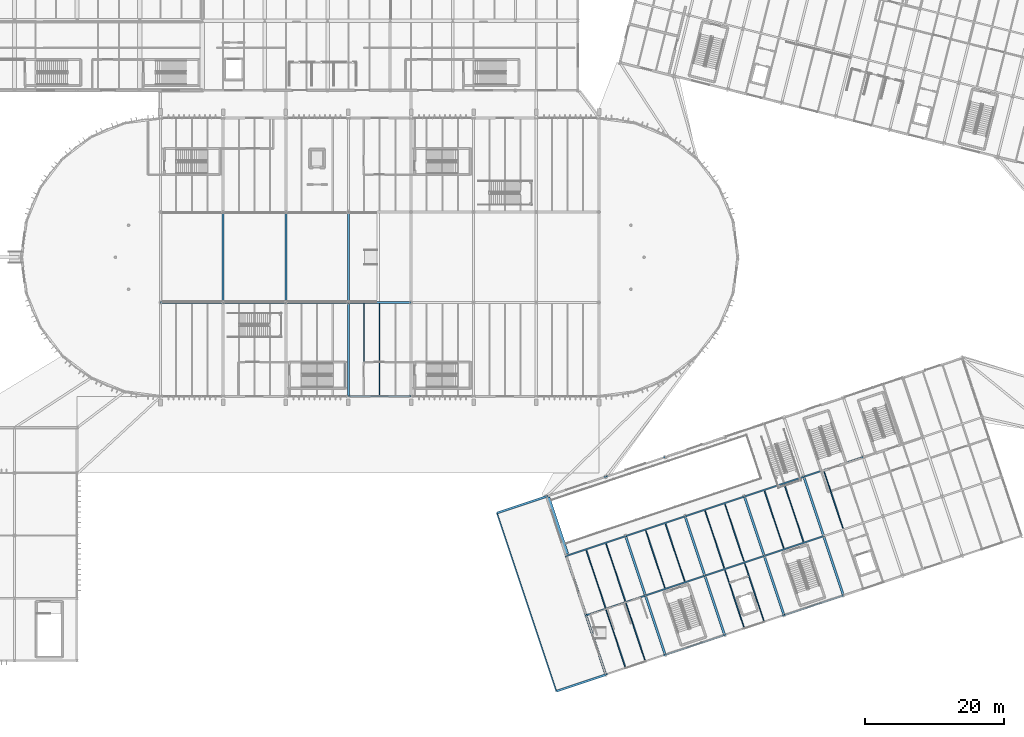
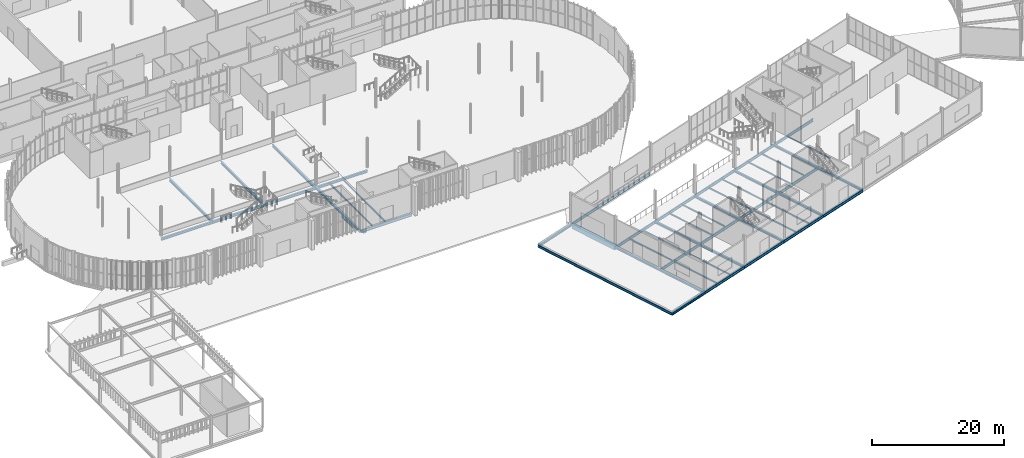
# One storey, part 40 of 158: 54 beams.
"""IFC4 building model written with IfcOpenShell, lengths in metres."""

from ifc_helpers import new_model, si_unit, derived_unit, direction, frame, origin, origin_2d, place, context, subcontext, project, spatial, rectangle, i_section, extrude, material, material_profile, profile_set, type_object, element, save


model = new_model("IFC4")

# Units and contexts
model_context = context("Model", 3, precision=1e-05, world=origin(), true_north=direction((0.0, 1.0)))
body_context = subcontext(model_context, "Body", "Model", "MODEL_VIEW")
ifc_project = project(units=[si_unit("LENGTHUNIT", "METRE"), si_unit("AREAUNIT", "SQUARE_METRE"), si_unit("VOLUMEUNIT", "CUBIC_METRE"), si_unit("PLANEANGLEUNIT", "RADIAN"), si_unit("MASSUNIT", "GRAM", prefix="KILO"), si_unit("THERMODYNAMICTEMPERATUREUNIT", "KELVIN"), si_unit("TIMEUNIT", "SECOND"), derived_unit("THERMALTRANSMITTANCEUNIT", [(si_unit("MASSUNIT", "GRAM", prefix="KILO"), 1), (si_unit("THERMODYNAMICTEMPERATUREUNIT", "KELVIN"), -1), (si_unit("TIMEUNIT", "SECOND"), -3)])], contexts=[model_context])

# Site, building, storey
site_placement = place(None, origin())
site = spatial("IfcSite", under=ifc_project, at=site_placement, CompositionType="ELEMENT")
building_placement = place(site_placement, origin())
building = spatial("IfcBuilding", under=site, at=building_placement, Name="Cambertide Market Hall", CompositionType="ELEMENT")
storey_placement = place(building_placement, origin())
storey = spatial("IfcBuildingStorey", under=building, at=storey_placement, Name="L01", CompositionType="ELEMENT", Elevation=0.0)

# Beams
ifc_material_1 = material(Name="Concrete B35", Category="concrete")
ifc_material_profile_1 = material_profile(ifc_material_1, rectangle(XDim=0.5, YDim=0.85009765625, at=origin_2d()), Name="RC 500x850")
ifc_profile_set_1 = profile_set([ifc_material_profile_1], Name="Concrete B35")
beam_type_1 = type_object("IfcBeamType", Name="Concrete Girder RC 500x850", PredefinedType="BEAM", material=ifc_profile_set_1)
beam_1_placement = place(storey_placement, frame((100.43115234375, 29.3388671875, -0.72509765625), z_axis=(-0.316219229536, 0.948686143501, 0.0), x_axis=(-0.948686143501, -0.316219229536, 0.0)))
element("IfcBeam", 1, at=beam_1_placement, inside=storey, type_object=beam_type_1, Name="Level 1 Beam BM-VR01-THR", PredefinedType="BEAM", context=body_context, shape_type="SweptSolid", body=[
    extrude(rectangle(XDim=0.5, YDim=0.85009765625, at=origin_2d()), origin(), (0.0, 0.0, 1.0), 8.579833984375),
])
ifc_material_2 = material(Name="Steel S355", Category="steel")
ifc_material_profile_2 = material_profile(ifc_material_2, i_section(OverallWidth=0.300048828125, OverallDepth=0.39990234375, WebThickness=0.013427734375, FlangeThickness=0.02392578125, FilletRadius=0.027099609375, at=origin_2d()), Name="HEB 400")
ifc_profile_set_2 = profile_set([ifc_material_profile_2], Name="Steel S355")
beam_type_2 = type_object("IfcBeamType", Name="Steel Girder HEB 400", PredefinedType="BEAM", material=ifc_profile_set_2)
beam_2_placement = place(storey_placement, frame((106.0, 12.0, -0.5), z_axis=(-0.3162196279, 0.948686010717, 0.0), x_axis=(-0.948686010717, -0.3162196279, 0.0)))
element("IfcBeam", 2, at=beam_2_placement, inside=storey, type_object=beam_type_2, Name="Level 1 Beam BM-V3V-L01-1-1", PredefinedType="BEAM", context=body_context, shape_type="SweptSolid", body=[
    extrude(i_section(OverallWidth=0.300048828125, OverallDepth=0.39990234375, WebThickness=0.013427734375, FlangeThickness=0.02392578125, FilletRadius=0.027099609375, at=origin_2d()), origin(), (0.0, 0.0, 1.0), 9.0),
])
for number, where, z_axis, x_axis, name in (
    (3, (103.154052734375, 20.5380859375, -0.5), (-0.316235903831, 0.948680585407, 0.0), (-0.948680585407, -0.316235903831, 0.0), "Level 1 Beam BM-V3V-L01-1-2"),
    (4, (114.5380859375, 14.845947265625, -0.5), (-0.316211490179, 0.948688723175, 0.0), (-0.948688723175, -0.316211490179, 0.0), "Level 1 Beam BM-V3V-L01-2-1"),
):
    element("IfcBeam", number, at=place(storey_placement, frame(where, z_axis=z_axis, x_axis=x_axis)), inside=storey, type_object=beam_type_2, Name=name, PredefinedType="BEAM", context=body_context, shape_type="SweptSolid", body=[
        extrude(i_section(OverallWidth=0.300048828125, OverallDepth=0.39990234375, WebThickness=0.013427734375, FlangeThickness=0.02392578125, FilletRadius=0.027099609375, at=origin_2d()), origin(), (0.0, 0.0, 1.0), 9.000244140625),
    ])
for number, where, z_axis, x_axis, name in (
    (5, (111.692138671875, 23.38427734375, -0.5), (-0.31624404204, 0.948677872554, 0.0), (-0.948677872554, -0.31624404204, 0.0), "Level 1 Beam BM-V3V-L01-2-2"),
    (6, (123.076416015625, 17.692138671875, -0.5), (-0.31624404204, 0.948677872554, 0.0), (-0.948677872554, -0.31624404204, 0.0), "Level 1 Beam BM-V3V-L01-3-1"),
    (7, (120.230224609375, 26.230224609375, -0.5), (-0.3162196279, 0.948686010717, 0.0), (-0.948686010717, -0.3162196279, 0.0), "Level 1 Beam BM-V3V-L01-3-2"),
):
    element("IfcBeam", number, at=place(storey_placement, frame(where, z_axis=z_axis, x_axis=x_axis)), inside=storey, type_object=beam_type_2, Name=name, PredefinedType="BEAM", context=body_context, shape_type="SweptSolid", body=[
        extrude(i_section(OverallWidth=0.300048828125, OverallDepth=0.39990234375, WebThickness=0.013427734375, FlangeThickness=0.02392578125, FilletRadius=0.027099609375, at=origin_2d()), origin(), (0.0, 0.0, 1.0), 9.0),
    ])
beam_3_placement = place(storey_placement, frame((131.614501953125, 20.5380859375, -0.5), z_axis=(-0.316235903831, 0.948680585407, 0.0), x_axis=(-0.948680585407, -0.316235903831, 0.0)))
element("IfcBeam", 8, at=beam_3_placement, inside=storey, type_object=beam_type_2, Name="Level 1 Beam BM-V3V-L01-4-1", PredefinedType="BEAM", context=body_context, shape_type="SweptSolid", body=[
    extrude(i_section(OverallWidth=0.300048828125, OverallDepth=0.39990234375, WebThickness=0.013427734375, FlangeThickness=0.02392578125, FilletRadius=0.027099609375, at=origin_2d()), origin(), (0.0, 0.0, 1.0), 9.000244140625),
])
for number, where, z_axis, x_axis, name in (
    (9, (128.768310546875, 29.076416015625, -0.5), (-0.3162196279, 0.948686010717, 0.0), (-0.948686010717, -0.3162196279, 0.0), "Level 1 Beam BM-V3V-L01-4-2"),
    (10, (140.152587890625, 23.38427734375, -0.5), (-0.3162196279, 0.948686010717, 0.0), (-0.948686010717, -0.3162196279, 0.0), "Level 1 Beam BM-V3V-L01-5-1"),
    (11, (137.306640625, 31.92236328125, -0.5), (-0.31624404204, 0.948677872554, 0.0), (-0.948677872554, -0.31624404204, 0.0), "Level 1 Beam BM-V3V-L01-5-2"),
):
    element("IfcBeam", number, at=place(storey_placement, frame(where, z_axis=z_axis, x_axis=x_axis)), inside=storey, type_object=beam_type_2, Name=name, PredefinedType="BEAM", context=body_context, shape_type="SweptSolid", body=[
        extrude(i_section(OverallWidth=0.300048828125, OverallDepth=0.39990234375, WebThickness=0.013427734375, FlangeThickness=0.02392578125, FilletRadius=0.027099609375, at=origin_2d()), origin(), (0.0, 0.0, 1.0), 9.0),
    ])
ifc_material_3 = material(Name="Steel S355", Category="steel")
ifc_material_profile_3 = material_profile(ifc_material_3, i_section(OverallWidth=0.300048828125, OverallDepth=0.449951171875, WebThickness=0.013916015625, FlangeThickness=0.02587890625, FilletRadius=0.027099609375, at=origin_2d()), Name="HEB 450")
ifc_profile_set_3 = profile_set([ifc_material_profile_3], Name="Steel S355")
beam_type_3 = type_object("IfcBeamType", Name="Steel Girder HEB 450", PredefinedType="BEAM", material=ifc_profile_set_3)
for number, where, z_axis, x_axis, name in (
    (12, (98.884765625, 9.628173828125, -0.52490234375), (0.948680042853, 0.316237531441, 0.0), (-0.316237531441, 0.948680042853, 0.0), "Level 1 Beam BM-V3APR-1"),
    (13, (90.3466796875, 35.24267578125, -0.52490234375), (0.948680042853, 0.316237531441, 0.0), (-0.316237531441, 0.948680042853, 0.0), "Level 1 Beam BM-V3APR-2"),
):
    element("IfcBeam", number, at=place(storey_placement, frame(where, z_axis=z_axis, x_axis=x_axis)), inside=storey, type_object=beam_type_3, Name=name, PredefinedType="BEAM", context=body_context, shape_type="SweptSolid", body=[
        extrude(i_section(OverallWidth=0.300048828125, OverallDepth=0.449951171875, WebThickness=0.013916015625, FlangeThickness=0.02587890625, FilletRadius=0.027099609375, at=origin_2d()), origin(), (0.0, 0.0, 1.0), 7.500244140625),
    ])
for number, where, z_axis, x_axis, name in (
    (14, (42.0, 65.5, -0.695068359375), (1.0, 0.0, 0.0), (0.0, 1.0, 0.0), "Level 1 Beam BM-V1MS-L01-1"),
    (15, (51.0, 65.5, -0.695068359375), (1.0, 0.0, 0.0), (0.0, 1.0, 0.0), "Level 1 Beam BM-V1MS-L01-2"),
    (16, (60.0, 65.5, -0.695068359375), (1.0, 0.0, 0.0), (0.0, 1.0, 0.0), "Level 1 Beam BM-V1MS-L01-3"),
    (17, (69.0, 65.5, -0.695068359375), (1.0, 0.0, 0.0), (0.0, 1.0, 0.0), "Level 1 Beam BM-V1MS-L01-4"),
):
    element("IfcBeam", number, at=place(storey_placement, frame(where, z_axis=z_axis, x_axis=x_axis)), inside=storey, type_object=beam_type_3, Name=name, PredefinedType="BEAM", context=body_context, shape_type="SweptSolid", body=[
        extrude(i_section(OverallWidth=0.300048828125, OverallDepth=0.449951171875, WebThickness=0.013916015625, FlangeThickness=0.02587890625, FilletRadius=0.027099609375, at=origin_2d()), origin(), (0.0, 0.0, 1.0), 9.0),
    ])
for number, where, z_axis, x_axis, name in (
    (18, (51.0, 65.5, -0.695068359375), (0.0, 1.0, 0.0), (-1.0, 0.0, 0.0), "Level 1 Beam BM-V1TC-L01-2"),
    (19, (60.0, 65.5, -0.695068359375), (0.0, 1.0, 0.0), (-1.0, 0.0, 0.0), "Level 1 Beam BM-V1TC-L01-3"),
):
    element("IfcBeam", number, at=place(storey_placement, frame(where, z_axis=z_axis, x_axis=x_axis)), inside=storey, type_object=beam_type_3, Name=name, PredefinedType="BEAM", context=body_context, shape_type="SweptSolid", body=[
        extrude(i_section(OverallWidth=0.300048828125, OverallDepth=0.449951171875, WebThickness=0.013916015625, FlangeThickness=0.02587890625, FilletRadius=0.027099609375, at=origin_2d()), origin(), (0.0, 0.0, 1.0), 13.0),
    ])
beam_4_placement = place(storey_placement, frame((69.0, 52.0, -0.534912109375), z_axis=(0.0, 1.0, 0.0), x_axis=(-1.0, 0.0, 0.0)))
element("IfcBeam", 20, at=beam_4_placement, inside=storey, type_object=beam_type_3, Name="Level 1 Beam BM-V1TS-L01-4", PredefinedType="BEAM", context=body_context, shape_type="SweptSolid", body=[
    extrude(i_section(OverallWidth=0.300048828125, OverallDepth=0.449951171875, WebThickness=0.013916015625, FlangeThickness=0.02587890625, FilletRadius=0.027099609375, at=origin_2d()), origin(), (0.0, 0.0, 1.0), 13.5),
])
beam_5_placement = place(storey_placement, frame((69.0, 65.5, -0.695068359375), z_axis=(0.0, 1.0, 0.0), x_axis=(-1.0, 0.0, 0.0)))
element("IfcBeam", 21, at=beam_5_placement, inside=storey, type_object=beam_type_3, Name="Level 1 Beam BM-V1TC-L01-4", PredefinedType="BEAM", context=body_context, shape_type="SweptSolid", body=[
    extrude(i_section(OverallWidth=0.300048828125, OverallDepth=0.449951171875, WebThickness=0.013916015625, FlangeThickness=0.02587890625, FilletRadius=0.027099609375, at=origin_2d()), origin(), (0.0, 0.0, 1.0), 13.0),
])
ifc_material_4 = material(Name="Steel S355", Category="steel")
ifc_material_profile_4 = material_profile(ifc_material_4, i_section(OverallWidth=0.18994140625, OverallDepth=0.449951171875, WebThickness=0.009521484375, FlangeThickness=0.0146484375, FilletRadius=0.02099609375, at=origin_2d()), Name="IPE 450")
ifc_profile_set_4 = profile_set([ifc_material_profile_4], Name="Steel S355")
beam_type_4 = type_object("IfcBeamType", Name="Steel Girder IPE 450", PredefinedType="BEAM", material=ifc_profile_set_4)
beam_6_placement = place(storey_placement, frame((98.884765625, 9.628173828125, -0.52490234375), z_axis=(-0.316225053345, 0.94868420227, 0.0), x_axis=(-0.94868420227, -0.316225053345, 0.0)))
element("IfcBeam", 22, at=beam_6_placement, inside=storey, type_object=beam_type_4, Name="Level 1 Beam BM-V3APR-W", PredefinedType="BEAM", context=body_context, shape_type="SweptSolid", body=[
    extrude(i_section(OverallWidth=0.18994140625, OverallDepth=0.449951171875, WebThickness=0.009521484375, FlangeThickness=0.0146484375, FilletRadius=0.02099609375, at=origin_2d()), origin(), (0.0, 0.0, 1.0), 27.0),
])
ifc_material_5 = material(Name="Steel S355", Category="steel")
ifc_material_profile_5 = material_profile(ifc_material_5, i_section(OverallWidth=0.199951171875, OverallDepth=0.5, WebThickness=0.01025390625, FlangeThickness=0.01611328125, FilletRadius=0.02099609375, at=origin_2d()), Name="IPE 500")
ifc_profile_set_5 = profile_set([ifc_material_profile_5], Name="Steel S355")
beam_type_5 = type_object("IfcBeamType", Name="Steel Girder IPE 500", PredefinedType="BEAM", material=ifc_profile_set_5)
for number, where, z_axis, x_axis, name in (
    (23, (69.0, 52.0, -0.56005859375), (1.0, 0.0, 0.0), (0.0, 1.0, 0.0), "Level 1 Beam BM-V1S-L01-4"),
    (24, (106.0, 12.0, -0.550048828125), (0.948686010717, 0.3162196279, 0.0), (-0.3162196279, 0.948686010717, 0.0), "Level 1 Beam BM-V3U-L01-1-1"),
    (25, (103.154052734375, 20.5380859375, -0.550048828125), (0.948677872554, 0.31624404204, 0.0), (-0.31624404204, 0.948677872554, 0.0), "Level 1 Beam BM-V3U-L01-1-2"),
    (26, (100.307861328125, 29.076416015625, -0.550048828125), (0.948686010717, 0.3162196279, 0.0), (-0.3162196279, 0.948686010717, 0.0), "Level 1 Beam BM-V3U-L01-1-3"),
    (27, (97.4619140625, 37.614501953125, -0.550048828125), (0.948686010717, 0.3162196279, 0.0), (-0.3162196279, 0.948686010717, 0.0), "Level 1 Beam BM-V3U-L01-1-4"),
):
    element("IfcBeam", number, at=place(storey_placement, frame(where, z_axis=z_axis, x_axis=x_axis)), inside=storey, type_object=beam_type_5, Name=name, PredefinedType="BEAM", context=body_context, shape_type="SweptSolid", body=[
        extrude(i_section(OverallWidth=0.199951171875, OverallDepth=0.5, WebThickness=0.01025390625, FlangeThickness=0.01611328125, FilletRadius=0.02099609375, at=origin_2d()), origin(), (0.0, 0.0, 1.0), 9.0),
    ])
beam_7_placement = place(storey_placement, frame((114.5380859375, 14.845947265625, -0.550048828125), z_axis=(0.948680585407, 0.316235903831, 0.0), x_axis=(-0.316235903831, 0.948680585407, 0.0)))
element("IfcBeam", 28, at=beam_7_placement, inside=storey, type_object=beam_type_5, Name="Level 1 Beam BM-V3U-L01-2-1", PredefinedType="BEAM", context=body_context, shape_type="SweptSolid", body=[
    extrude(i_section(OverallWidth=0.199951171875, OverallDepth=0.5, WebThickness=0.01025390625, FlangeThickness=0.01611328125, FilletRadius=0.02099609375, at=origin_2d()), origin(), (0.0, 0.0, 1.0), 9.000244140625),
])
beam_8_placement = place(storey_placement, frame((111.692138671875, 23.38427734375, -0.550048828125), z_axis=(0.948686010717, 0.3162196279, 0.0), x_axis=(-0.3162196279, 0.948686010717, 0.0)))
element("IfcBeam", 29, at=beam_8_placement, inside=storey, type_object=beam_type_5, Name="Level 1 Beam BM-V3U-L01-2-2", PredefinedType="BEAM", context=body_context, shape_type="SweptSolid", body=[
    extrude(i_section(OverallWidth=0.199951171875, OverallDepth=0.5, WebThickness=0.01025390625, FlangeThickness=0.01611328125, FilletRadius=0.02099609375, at=origin_2d()), origin(), (0.0, 0.0, 1.0), 9.0),
])
beam_9_placement = place(storey_placement, frame((108.845947265625, 31.92236328125, -0.550048828125), z_axis=(0.948688723175, 0.316211490179, 0.0), x_axis=(-0.316211490179, 0.948688723175, 0.0)))
element("IfcBeam", 30, at=beam_9_placement, inside=storey, type_object=beam_type_5, Name="Level 1 Beam BM-V3U-L01-2-3", PredefinedType="BEAM", context=body_context, shape_type="SweptSolid", body=[
    extrude(i_section(OverallWidth=0.199951171875, OverallDepth=0.5, WebThickness=0.01025390625, FlangeThickness=0.01611328125, FilletRadius=0.02099609375, at=origin_2d()), origin(), (0.0, 0.0, 1.0), 9.000244140625),
])
for number, where, z_axis, x_axis, name in (
    (31, (106.0, 40.46044921875, -0.550048828125), (0.948677872554, 0.31624404204, 0.0), (-0.31624404204, 0.948677872554, 0.0), "Level 1 Beam BM-V3U-L01-2-4"),
    (32, (123.076416015625, 17.692138671875, -0.550048828125), (0.948686010717, 0.3162196279, 0.0), (-0.3162196279, 0.948686010717, 0.0), "Level 1 Beam BM-V3U-L01-3-1"),
    (33, (120.230224609375, 26.230224609375, -0.550048828125), (0.948677872554, 0.31624404204, 0.0), (-0.31624404204, 0.948677872554, 0.0), "Level 1 Beam BM-V3U-L01-3-2"),
    (34, (117.38427734375, 34.768310546875, -0.550048828125), (0.948677872554, 0.31624404204, 0.0), (-0.31624404204, 0.948677872554, 0.0), "Level 1 Beam BM-V3U-L01-3-3"),
    (35, (131.614501953125, 20.5380859375, -0.550048828125), (0.948677872554, 0.31624404204, 0.0), (-0.31624404204, 0.948677872554, 0.0), "Level 1 Beam BM-V3U-L01-4-1"),
):
    element("IfcBeam", number, at=place(storey_placement, frame(where, z_axis=z_axis, x_axis=x_axis)), inside=storey, type_object=beam_type_5, Name=name, PredefinedType="BEAM", context=body_context, shape_type="SweptSolid", body=[
        extrude(i_section(OverallWidth=0.199951171875, OverallDepth=0.5, WebThickness=0.01025390625, FlangeThickness=0.01611328125, FilletRadius=0.02099609375, at=origin_2d()), origin(), (0.0, 0.0, 1.0), 9.0),
    ])
beam_10_placement = place(storey_placement, frame((128.768310546875, 29.076416015625, -0.550048828125), z_axis=(0.948688723175, 0.316211490179, 0.0), x_axis=(-0.316211490179, 0.948688723175, 0.0)))
element("IfcBeam", 36, at=beam_10_placement, inside=storey, type_object=beam_type_5, Name="Level 1 Beam BM-V3U-L01-4-2", PredefinedType="BEAM", context=body_context, shape_type="SweptSolid", body=[
    extrude(i_section(OverallWidth=0.199951171875, OverallDepth=0.5, WebThickness=0.01025390625, FlangeThickness=0.01611328125, FilletRadius=0.02099609375, at=origin_2d()), origin(), (0.0, 0.0, 1.0), 9.000244140625),
])
for number, where, z_axis, x_axis, name in (
    (37, (125.92236328125, 37.614501953125, -0.550048828125), (0.948686010717, 0.3162196279, 0.0), (-0.3162196279, 0.948686010717, 0.0), "Level 1 Beam BM-V3U-L01-4-3"),
    (38, (134.46044921875, 40.46044921875, -0.550048828125), (0.948677872554, 0.31624404204, 0.0), (-0.31624404204, 0.948677872554, 0.0), "Level 1 Beam BM-V3U-L01-5-3"),
):
    element("IfcBeam", number, at=place(storey_placement, frame(where, z_axis=z_axis, x_axis=x_axis)), inside=storey, type_object=beam_type_5, Name=name, PredefinedType="BEAM", context=body_context, shape_type="SweptSolid", body=[
        extrude(i_section(OverallWidth=0.199951171875, OverallDepth=0.5, WebThickness=0.01025390625, FlangeThickness=0.01611328125, FilletRadius=0.02099609375, at=origin_2d()), origin(), (0.0, 0.0, 1.0), 9.0),
    ])
ifc_material_6 = material(Name="Steel S275", Category="steel")
ifc_material_profile_6 = material_profile(ifc_material_6, i_section(OverallWidth=0.135009765625, OverallDepth=0.27001953125, WebThickness=0.006591796875, FlangeThickness=0.01025390625, FilletRadius=0.014892578125, at=origin_2d()), Name="IPE 270")
ifc_profile_set_6 = profile_set([ifc_material_profile_6], Name="Steel S275")
beam_type_6 = type_object("IfcBeamType", Name="Steel Secondary Joist IPE 270", PredefinedType="JOIST", material=ifc_profile_set_6)
beam_11_placement = place(storey_placement, frame((108.7890625, 13.119384765625, -0.43505859375), z_axis=(-0.316219289033, 0.94868612367, 0.0), x_axis=(-0.94868612367, -0.316219289033, 0.0)))
element("IfcBeam", 39, at=beam_11_placement, inside=storey, type_object=beam_type_6, Name="Level 1 Joist JS-V3-L01-1-1-1", PredefinedType="JOIST", context=body_context, shape_type="SweptSolid", body=[
    extrude(i_section(OverallWidth=0.135009765625, OverallDepth=0.27001953125, WebThickness=0.006591796875, FlangeThickness=0.01025390625, FilletRadius=0.014892578125, at=origin_2d()), origin(), (0.0, 0.0, 1.0), 8.64013671875),
])
for number, where, z_axis, x_axis, name in (
    (40, (111.63525390625, 14.068115234375, -0.43505859375), (-0.316227766017, 0.948683298051, 0.0), (-0.948683298051, -0.316227766017, 0.0), "Level 1 Joist JS-V3-L01-1-1-2"),
    (41, (105.943115234375, 21.65771484375, -0.43505859375), (-0.316227766017, 0.948683298051, 0.0), (-0.948683298051, -0.316227766017, 0.0), "Level 1 Joist JS-V3-L01-1-2-1"),
):
    element("IfcBeam", number, at=place(storey_placement, frame(where, z_axis=z_axis, x_axis=x_axis)), inside=storey, type_object=beam_type_6, Name=name, PredefinedType="JOIST", context=body_context, shape_type="SweptSolid", body=[
        extrude(i_section(OverallWidth=0.135009765625, OverallDepth=0.27001953125, WebThickness=0.006591796875, FlangeThickness=0.01025390625, FilletRadius=0.014892578125, at=origin_2d()), origin(), (0.0, 0.0, 1.0), 8.639892578125),
    ])
beam_12_placement = place(storey_placement, frame((108.7890625, 22.606201171875, -0.43505859375), z_axis=(-0.316219289033, 0.94868612367, 0.0), x_axis=(-0.94868612367, -0.316219289033, 0.0)))
element("IfcBeam", 42, at=beam_12_placement, inside=storey, type_object=beam_type_6, Name="Level 1 Joist JS-V3-L01-1-2-2", PredefinedType="JOIST", context=body_context, shape_type="SweptSolid", body=[
    extrude(i_section(OverallWidth=0.135009765625, OverallDepth=0.27001953125, WebThickness=0.006591796875, FlangeThickness=0.01025390625, FilletRadius=0.014892578125, at=origin_2d()), origin(), (0.0, 0.0, 1.0), 8.64013671875),
])
for number, where, z_axis, x_axis, name in (
    (43, (114.481201171875, 24.503662109375, -0.43505859375), (-0.316227766017, 0.948683298051, 0.0), (-0.948683298051, -0.316227766017, 0.0), "Level 1 Joist JS-V3-L01-2-2-1"),
    (44, (117.327392578125, 25.452392578125, -0.43505859375), (-0.316253197272, 0.948674820587, 0.0), (-0.948674820587, -0.316253197272, 0.0), "Level 1 Joist JS-V3-L01-2-2-2"),
    (45, (125.865478515625, 18.8115234375, -0.43505859375), (-0.316227766017, 0.948683298051, 0.0), (-0.948683298051, -0.316227766017, 0.0), "Level 1 Joist JS-V3-L01-3-1-1"),
    (46, (128.71142578125, 19.76025390625, -0.43505859375), (-0.316227766017, 0.948683298051, 0.0), (-0.948683298051, -0.316227766017, 0.0), "Level 1 Joist JS-V3-L01-3-1-2"),
):
    element("IfcBeam", number, at=place(storey_placement, frame(where, z_axis=z_axis, x_axis=x_axis)), inside=storey, type_object=beam_type_6, Name=name, PredefinedType="JOIST", context=body_context, shape_type="SweptSolid", body=[
        extrude(i_section(OverallWidth=0.135009765625, OverallDepth=0.27001953125, WebThickness=0.006591796875, FlangeThickness=0.01025390625, FilletRadius=0.014892578125, at=origin_2d()), origin(), (0.0, 0.0, 1.0), 8.639892578125),
    ])
for number, where, z_axis, x_axis, name in (
    (47, (123.019287109375, 27.349609375, -0.43505859375), (-0.316219289033, 0.94868612367, 0.0), (-0.94868612367, -0.316219289033, 0.0), "Level 1 Joist JS-V3-L01-3-2-1"),
    (48, (125.865478515625, 28.29833984375, -0.43505859375), (-0.316219289033, 0.94868612367, 0.0), (-0.94868612367, -0.316219289033, 0.0), "Level 1 Joist JS-V3-L01-3-2-2"),
):
    element("IfcBeam", number, at=place(storey_placement, frame(where, z_axis=z_axis, x_axis=x_axis)), inside=storey, type_object=beam_type_6, Name=name, PredefinedType="JOIST", context=body_context, shape_type="SweptSolid", body=[
        extrude(i_section(OverallWidth=0.135009765625, OverallDepth=0.27001953125, WebThickness=0.006591796875, FlangeThickness=0.01025390625, FilletRadius=0.014892578125, at=origin_2d()), origin(), (0.0, 0.0, 1.0), 8.64013671875),
    ])
for number, where, z_axis, x_axis, name in (
    (49, (131.5576171875, 30.19580078125, -0.43505859375), (-0.316227766017, 0.948683298051, 0.0), (-0.948683298051, -0.316227766017, 0.0), "Level 1 Joist JS-V3-L01-4-2-1"),
    (50, (134.403564453125, 31.14453125, -0.43505859375), (-0.316227766017, 0.948683298051, 0.0), (-0.948683298051, -0.316227766017, 0.0), "Level 1 Joist JS-V3-L01-4-2-2"),
):
    element("IfcBeam", number, at=place(storey_placement, frame(where, z_axis=z_axis, x_axis=x_axis)), inside=storey, type_object=beam_type_6, Name=name, PredefinedType="JOIST", context=body_context, shape_type="SweptSolid", body=[
        extrude(i_section(OverallWidth=0.135009765625, OverallDepth=0.27001953125, WebThickness=0.006591796875, FlangeThickness=0.01025390625, FilletRadius=0.014892578125, at=origin_2d()), origin(), (0.0, 0.0, 1.0), 8.639892578125),
    ])
beam_13_placement = place(storey_placement, frame((140.095703125, 33.041748046875, -0.43505859375), z_axis=(-0.316219289033, 0.94868612367, 0.0), x_axis=(-0.94868612367, -0.316219289033, 0.0)))
element("IfcBeam", 51, at=beam_13_placement, inside=storey, type_object=beam_type_6, Name="Level 1 Joist JS-V3-L01-5-2-1", PredefinedType="JOIST", context=body_context, shape_type="SweptSolid", body=[
    extrude(i_section(OverallWidth=0.135009765625, OverallDepth=0.27001953125, WebThickness=0.006591796875, FlangeThickness=0.01025390625, FilletRadius=0.014892578125, at=origin_2d()), origin(), (0.0, 0.0, 1.0), 8.64013671875),
])
ifc_material_7 = material(Name="Steel S275", Category="steel")
ifc_material_profile_7 = material_profile(ifc_material_7, i_section(OverallWidth=0.14990234375, OverallDepth=0.300048828125, WebThickness=0.007080078125, FlangeThickness=0.0107421875, FilletRadius=0.014892578125, at=origin_2d()), Name="IPE 300")
ifc_profile_set_7 = profile_set([ifc_material_profile_7], Name="Steel S275")
beam_type_7 = type_object("IfcBeamType", Name="Steel Secondary Joist IPE 300", PredefinedType="JOIST", material=ifc_profile_set_7)
for number, where, z_axis, x_axis, name in (
    (52, (71.25, 52.10791015625, -0.4599609375), (0.0, 1.0, 0.0), (-1.0, 0.0, 0.0), "Level 1 Joist JS-V1S-L01-4-1"),
    (53, (73.5, 52.10791015625, -0.4599609375), (0.0, 1.0, 0.0), (-1.0, 0.0, 0.0), "Level 1 Joist JS-V1S-L01-4-2"),
):
    element("IfcBeam", number, at=place(storey_placement, frame(where, z_axis=z_axis, x_axis=x_axis)), inside=storey, type_object=beam_type_7, Name=name, PredefinedType="JOIST", context=body_context, shape_type="SweptSolid", body=[
        extrude(i_section(OverallWidth=0.14990234375, OverallDepth=0.300048828125, WebThickness=0.007080078125, FlangeThickness=0.0107421875, FilletRadius=0.014892578125, at=origin_2d()), origin(), (0.0, 0.0, 1.0), 13.234130859375),
    ])
beam_14_placement = place(storey_placement, frame((68.52490234375, 53.26806640625, -0.449951171875), z_axis=(0.0, 1.0, 0.0), x_axis=(-1.0, 0.0, 0.0)))
element("IfcBeam", 54, at=beam_14_placement, inside=storey, type_object=beam_type_7, Name="Level 1 Joist BM-ST02-SHWF", PredefinedType="JOIST", context=body_context, shape_type="SweptSolid", body=[
    extrude(i_section(OverallWidth=0.14990234375, OverallDepth=0.300048828125, WebThickness=0.007080078125, FlangeThickness=0.0107421875, FilletRadius=0.014892578125, at=origin_2d()), origin(), (0.0, 0.0, 1.0), 3.56396484375),
])

save(model, "model.ifc")
